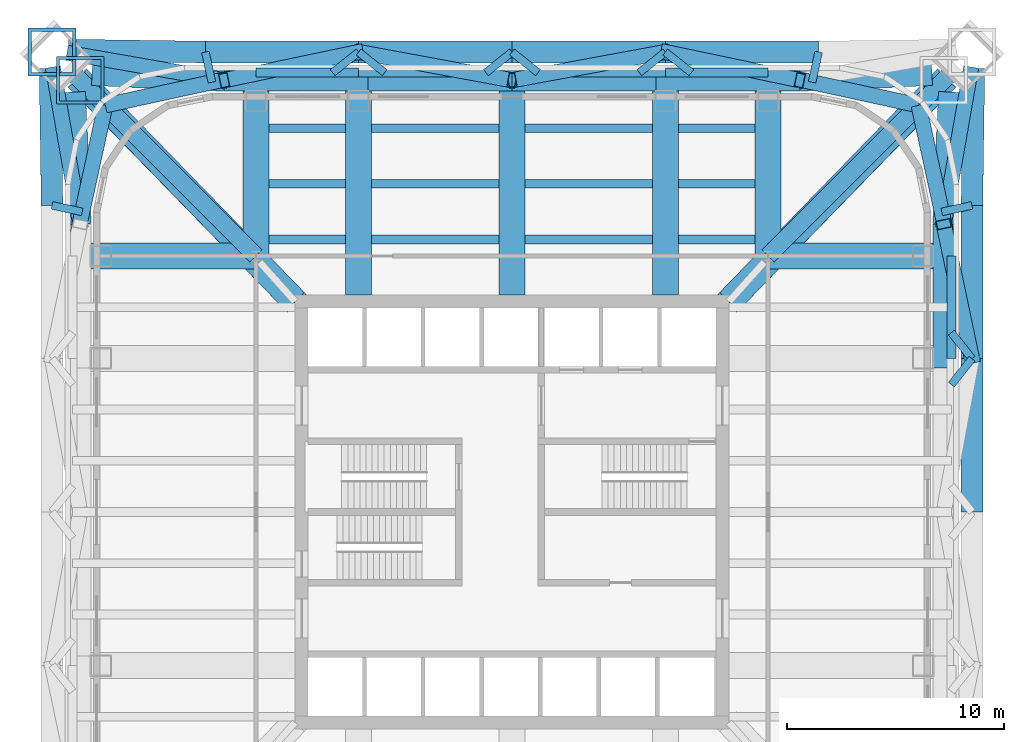
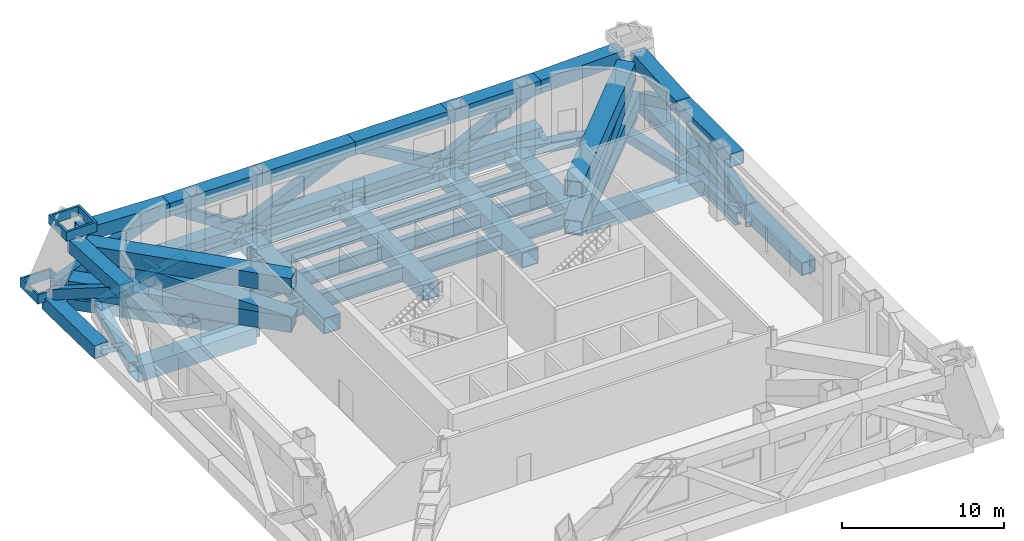
# One storey, part 3 of 9: 63 beams, 12 members.
"""IFC4 building model written with IfcOpenShell, lengths in metres."""

from ifc_helpers import new_model, si_unit, direction, frame, origin, origin_2d, place, context, subcontext, project, spatial, hollow_rectangle, i_section, extrude, material, material_profile, profile_set, type_object, element, save


model = new_model("IFC4")

# Units and contexts
model_context = context("Model", 3, precision=1e-05, world=origin(), true_north=direction((0.0, 1.0)))
body_context = subcontext(model_context, "Body", "Model", "MODEL_VIEW")
ifc_project = project(units=[si_unit("LENGTHUNIT", "METRE"), si_unit("AREAUNIT", "SQUARE_METRE"), si_unit("VOLUMEUNIT", "CUBIC_METRE"), si_unit("PLANEANGLEUNIT", "RADIAN"), si_unit("MASSUNIT", "GRAM", prefix="KILO")], contexts=[model_context])

# Site, building, storey
site_placement = place(None, origin())
site = spatial("IfcSite", under=ifc_project, at=site_placement, CompositionType="ELEMENT")
building_placement = place(site_placement, origin())
building = spatial("IfcBuilding", under=site, at=building_placement, Name="Turquesa Mirador Hotel Tower", CompositionType="ELEMENT")
storey_placement = place(building_placement, frame((0.0, 0.0, 156.39990234375)))
storey = spatial("IfcBuildingStorey", under=building, at=storey_placement, Name="L42", CompositionType="ELEMENT", Elevation=156.39990234375)

# Beams
ifc_material_1 = material(Name="Steel ASTM A572 Grade 50", Category="steel")
ifc_material_profile_1 = material_profile(ifc_material_1, hollow_rectangle(XDim=1.199951171875, YDim=1.199951171875, WallThickness=0.06005859375, at=origin_2d()), Name="BOX1200X1200X60")
ifc_profile_set_1 = profile_set([ifc_material_profile_1], Name="Steel ASTM A572 Grade 50")
beam_type_1 = type_object("IfcBeamType", Name="BEAM BOX1200X1200X60", PredefinedType="BEAM", material=ifc_profile_set_1)
for number, where, z_axis, x_axis, name in (
    (1, (47.919921875, 65.25, -0.849853515625), (0.0, -1.0, 0.0), (1.0, 0.0, 0.0), "GD-L42-N--7.08"),
    (2, (62.080078125, 65.25, -0.849853515625), (0.0, -1.0, 0.0), (1.0, 0.0, 0.0), "GD-L42-N-+7.08"),
    (3, (55.0, 65.25, -0.849853515625), (0.0, -1.0, 0.0), (1.0, 0.0, 0.0), "GD-L42-N-+0.00"),
):
    element("IfcBeam", number, at=place(storey_placement, frame(where, z_axis=z_axis, x_axis=x_axis)), inside=storey, type_object=beam_type_1, Name=name, PredefinedType="BEAM", context=body_context, shape_type="SweptSolid", body=[
        extrude(hollow_rectangle(XDim=1.199951171875, YDim=1.199951171875, WallThickness=0.06005859375, at=origin_2d()), origin(), (0.0, 0.0, 1.0), 10.25),
    ])
for number, where, z_axis, x_axis, name in (
    (4, (43.199951171875, 65.25, -0.849853515625), (0.0, -1.0, 0.0), (1.0, 0.0, 0.0), "GK-L42-N--11.80"),
    (5, (66.800048828125, 65.25, -0.849853515625), (0.0, -1.0, 0.0), (1.0, 0.0, 0.0), "GK-L42-N-+11.80"),
    (6, (75.25, 56.800048828125, -0.849853515625), (-1.0, 0.0, 0.0), (0.0, -1.0, 0.0), "GK-L42-E-+11.80"),
    (7, (34.75, 56.800048828125, -0.849853515625), (1.0, 0.0, 0.0), (0.0, 1.0, 0.0), "GK-L42-W-+11.80"),
):
    element("IfcBeam", number, at=place(storey_placement, frame(where, z_axis=z_axis, x_axis=x_axis)), inside=storey, type_object=beam_type_1, Name=name, PredefinedType="BEAM", context=body_context, shape_type="SweptSolid", body=[
        extrude(hollow_rectangle(XDim=1.199951171875, YDim=1.199951171875, WallThickness=0.06005859375, at=origin_2d()), origin(), (0.0, 0.0, 1.0), 8.449951171875),
    ])
ifc_material_2 = material(Name="Steel ASTM A572 Grade 50", Category="steel")
ifc_material_profile_2 = material_profile(ifc_material_2, hollow_rectangle(XDim=0.699951171875, YDim=0.699951171875, WallThickness=0.044921875, at=origin_2d()), Name="BOX700X700X45")
ifc_profile_set_2 = profile_set([ifc_material_profile_2], Name="Steel ASTM A572 Grade 50")
beam_type_2 = type_object("IfcBeamType", Name="BEAM BOX700X700X45", PredefinedType="BEAM", material=ifc_profile_set_2)
for number, where, z_axis, x_axis, name in (
    (8, (75.25, 56.800048828125, -0.599853515625), (-0.212328336885, 0.977198381781, 0.0), (-0.977198381781, -0.212328336885, 0.0), "KE-L42-1-0"),
    (9, (73.74169921875, 63.74169921875, -0.599853515625), (-0.977198381781, 0.212328336885, 0.0), (-0.212328336885, -0.977198381781, 0.0), "KE-L42-1-1"),
    (10, (34.75, 56.800048828125, -0.599853515625), (0.212328336885, 0.977198381781, 0.0), (-0.977198381781, 0.212328336885, 0.0), "KE-L42-2-0"),
    (11, (36.25830078125, 63.74169921875, -0.599853515625), (0.977198381781, 0.212328336885, 0.0), (-0.212328336885, 0.977198381781, 0.0), "KE-L42-2-1"),
):
    element("IfcBeam", number, at=place(storey_placement, frame(where, z_axis=z_axis, x_axis=x_axis)), inside=storey, type_object=beam_type_2, Name=name, PredefinedType="BEAM", context=body_context, shape_type="SweptSolid", body=[
        extrude(hollow_rectangle(XDim=0.699951171875, YDim=0.699951171875, WallThickness=0.044921875, at=origin_2d()), origin(), (0.0, 0.0, 1.0), 7.103515625),
    ])
ifc_material_3 = material(Name="Steel ASTM A572 Grade 50", Category="steel")
ifc_material_profile_3 = material_profile(ifc_material_3, hollow_rectangle(XDim=0.800048828125, YDim=0.800048828125, WallThickness=0.050048828125, at=origin_2d()), Name="BOX800X800X50")
ifc_profile_set_3 = profile_set([ifc_material_profile_3], Name="Steel ASTM A572 Grade 50")
beam_type_3 = type_object("IfcBeamType", Name="BEAM BOX800X800X50", PredefinedType="BEAM", material=ifc_profile_set_3)
for number, where, z_axis, x_axis, name in (
    (12, (66.800048828125, 56.800048828125, -0.64990234375), (0.707106781187, 0.707106781187, 0.0), (-0.707106781187, 0.707106781187, 0.0), "KD-L42-1"),
    (13, (43.199951171875, 56.800048828125, -0.64990234375), (-0.707106781187, 0.707106781187, 0.0), (-0.707106781187, -0.707106781187, 0.0), "KD-L42-2"),
):
    element("IfcBeam", number, at=place(storey_placement, frame(where, z_axis=z_axis, x_axis=x_axis)), inside=storey, type_object=beam_type_3, Name=name, PredefinedType="BEAM", context=body_context, shape_type="SweptSolid", body=[
        extrude(hollow_rectangle(XDim=0.800048828125, YDim=0.800048828125, WallThickness=0.050048828125, at=origin_2d()), origin(), (0.0, 0.0, 1.0), 11.80859375),
    ])
ifc_material_4 = material(Name="Steel ASTM A992 Grade 50", Category="steel")
ifc_material_profile_4 = material_profile(ifc_material_4, i_section(OverallWidth=0.419189453125, OverallDepth=0.927001953125, WebThickness=0.019287109375, FlangeThickness=0.031982421875, at=origin_2d()), Name="W36X231")
ifc_profile_set_4 = profile_set([ifc_material_profile_4], Name="Steel ASTM A992 Grade 50")
beam_type_4 = type_object("IfcBeamType", Name="BEAM W36X231", PredefinedType="BEAM", material=ifc_profile_set_4)
for number, where, z_axis, x_axis, name in (
    (14, (43.199951171875, 65.25, -0.71337890625), (1.0, 0.0, 0.0), (0.0, 1.0, 0.0), "EB-L42-N-L"),
    (15, (62.080078125, 65.25, -0.71337890625), (1.0, 0.0, 0.0), (0.0, 1.0, 0.0), "EB-L42-N-R"),
    (16, (75.25, 52.080078125, -0.71337890625), (0.0, 1.0, 0.0), (-1.0, 0.0, 0.0), "EB-L42-E-R"),
):
    element("IfcBeam", number, at=place(storey_placement, frame(where, z_axis=z_axis, x_axis=x_axis)), inside=storey, type_object=beam_type_4, Name=name, PredefinedType="BEAM", context=body_context, shape_type="SweptSolid", body=[
        extrude(i_section(OverallWidth=0.419189453125, OverallDepth=0.927001953125, WebThickness=0.019287109375, FlangeThickness=0.031982421875, at=origin_2d()), origin(), (0.0, 0.0, 1.0), 4.719970703125),
    ])
ifc_material_5 = material(Name="Steel ASTM A992 Grade 50", Category="steel")
ifc_material_profile_5 = material_profile(ifc_material_5, i_section(OverallWidth=0.40380859375, OverallDepth=1.11767578125, WebThickness=0.026123046875, FlangeThickness=0.044921875, at=origin_2d()), Name="W44X335")
ifc_profile_set_5 = profile_set([ifc_material_profile_5], Name="Steel ASTM A992 Grade 50")
beam_type_5 = type_object("IfcBeamType", Name="BEAM W44X335", PredefinedType="BEAM", material=ifc_profile_set_5)
beam_1_placement = place(storey_placement, frame((43.800048828125, 57.56201171875, -0.80859375), z_axis=(1.0, 0.0, 0.0), x_axis=(0.0, 1.0, 0.0)))
element("IfcBeam", 17, at=beam_1_placement, inside=storey, type_object=beam_type_5, Name="IB-L42-N-1-0", PredefinedType="BEAM", context=body_context, shape_type="SweptSolid", body=[
    extrude(i_section(OverallWidth=0.40380859375, OverallDepth=1.11767578125, WebThickness=0.026123046875, FlangeThickness=0.044921875, at=origin_2d()), origin(), (0.0, 0.0, 1.0), 3.52001953125),
])
for number, where, z_axis, x_axis, name in (
    (18, (48.52001953125, 57.56201171875, -0.80859375), (1.0, 0.0, 0.0), (0.0, 1.0, 0.0), "IB-L42-N-1-1"),
    (19, (55.60009765625, 57.56201171875, -0.80859375), (1.0, 0.0, 0.0), (0.0, 1.0, 0.0), "IB-L42-N-1-2"),
):
    element("IfcBeam", number, at=place(storey_placement, frame(where, z_axis=z_axis, x_axis=x_axis)), inside=storey, type_object=beam_type_5, Name=name, PredefinedType="BEAM", context=body_context, shape_type="SweptSolid", body=[
        extrude(i_section(OverallWidth=0.40380859375, OverallDepth=1.11767578125, WebThickness=0.026123046875, FlangeThickness=0.044921875, at=origin_2d()), origin(), (0.0, 0.0, 1.0), 5.8798828125),
    ])
for number, where, z_axis, x_axis, name in (
    (20, (62.679931640625, 57.56201171875, -0.80859375), (1.0, 0.0, 0.0), (0.0, 1.0, 0.0), "IB-L42-N-1-3"),
    (21, (43.800048828125, 60.125, -0.80859375), (1.0, 0.0, 0.0), (0.0, 1.0, 0.0), "IB-L42-N-2-0"),
):
    element("IfcBeam", number, at=place(storey_placement, frame(where, z_axis=z_axis, x_axis=x_axis)), inside=storey, type_object=beam_type_5, Name=name, PredefinedType="BEAM", context=body_context, shape_type="SweptSolid", body=[
        extrude(i_section(OverallWidth=0.40380859375, OverallDepth=1.11767578125, WebThickness=0.026123046875, FlangeThickness=0.044921875, at=origin_2d()), origin(), (0.0, 0.0, 1.0), 3.52001953125),
    ])
for number, where, z_axis, x_axis, name in (
    (22, (48.52001953125, 60.125, -0.80859375), (1.0, 0.0, 0.0), (0.0, 1.0, 0.0), "IB-L42-N-2-1"),
    (23, (55.60009765625, 60.125, -0.80859375), (1.0, 0.0, 0.0), (0.0, 1.0, 0.0), "IB-L42-N-2-2"),
):
    element("IfcBeam", number, at=place(storey_placement, frame(where, z_axis=z_axis, x_axis=x_axis)), inside=storey, type_object=beam_type_5, Name=name, PredefinedType="BEAM", context=body_context, shape_type="SweptSolid", body=[
        extrude(i_section(OverallWidth=0.40380859375, OverallDepth=1.11767578125, WebThickness=0.026123046875, FlangeThickness=0.044921875, at=origin_2d()), origin(), (0.0, 0.0, 1.0), 5.8798828125),
    ])
for number, where, z_axis, x_axis, name in (
    (24, (62.679931640625, 60.125, -0.80859375), (1.0, 0.0, 0.0), (0.0, 1.0, 0.0), "IB-L42-N-2-3"),
    (25, (43.800048828125, 62.68798828125, -0.80859375), (1.0, 0.0, 0.0), (0.0, 1.0, 0.0), "IB-L42-N-3-0"),
):
    element("IfcBeam", number, at=place(storey_placement, frame(where, z_axis=z_axis, x_axis=x_axis)), inside=storey, type_object=beam_type_5, Name=name, PredefinedType="BEAM", context=body_context, shape_type="SweptSolid", body=[
        extrude(i_section(OverallWidth=0.40380859375, OverallDepth=1.11767578125, WebThickness=0.026123046875, FlangeThickness=0.044921875, at=origin_2d()), origin(), (0.0, 0.0, 1.0), 3.52001953125),
    ])
for number, where, z_axis, x_axis, name in (
    (26, (48.52001953125, 62.68798828125, -0.80859375), (1.0, 0.0, 0.0), (0.0, 1.0, 0.0), "IB-L42-N-3-1"),
    (27, (55.60009765625, 62.68798828125, -0.80859375), (1.0, 0.0, 0.0), (0.0, 1.0, 0.0), "IB-L42-N-3-2"),
):
    element("IfcBeam", number, at=place(storey_placement, frame(where, z_axis=z_axis, x_axis=x_axis)), inside=storey, type_object=beam_type_5, Name=name, PredefinedType="BEAM", context=body_context, shape_type="SweptSolid", body=[
        extrude(i_section(OverallWidth=0.40380859375, OverallDepth=1.11767578125, WebThickness=0.026123046875, FlangeThickness=0.044921875, at=origin_2d()), origin(), (0.0, 0.0, 1.0), 5.8798828125),
    ])
beam_2_placement = place(storey_placement, frame((62.679931640625, 62.68798828125, -0.80859375), z_axis=(1.0, 0.0, 0.0), x_axis=(0.0, 1.0, 0.0)))
element("IfcBeam", 28, at=beam_2_placement, inside=storey, type_object=beam_type_5, Name="IB-L42-N-3-3", PredefinedType="BEAM", context=body_context, shape_type="SweptSolid", body=[
    extrude(i_section(OverallWidth=0.40380859375, OverallDepth=1.11767578125, WebThickness=0.026123046875, FlangeThickness=0.044921875, at=origin_2d()), origin(), (0.0, 0.0, 1.0), 3.52001953125),
])
beam_3_placement = place(storey_placement, frame((47.919921875, 65.25, -0.80859375), z_axis=(1.0, 0.0, 0.0), x_axis=(0.0, 1.0, 0.0)))
element("IfcBeam", 29, at=beam_3_placement, inside=storey, type_object=beam_type_5, Name="EB-L42-N-C", PredefinedType="BEAM", context=body_context, shape_type="SweptSolid", body=[
    extrude(i_section(OverallWidth=0.40380859375, OverallDepth=1.11767578125, WebThickness=0.026123046875, FlangeThickness=0.044921875, at=origin_2d()), origin(), (0.0, 0.0, 1.0), 14.16015625),
])
ifc_material_6 = material(Name="Steel ASTM A572 Grade 50", Category="steel")
ifc_material_profile_6 = material_profile(ifc_material_6, hollow_rectangle(XDim=1.0, YDim=1.0, WallThickness=0.06005859375, at=origin_2d()), Name="BOX1000X1000X60")
ifc_profile_set_6 = profile_set([ifc_material_profile_6], Name="Steel ASTM A572 Grade 50")
beam_type_6 = type_object("IfcBeamType", Name="BELT TRUSS CHORD BOX1000X1000X60", PredefinedType="BEAM", material=ifc_profile_set_6)
beam_4_placement = place(storey_placement, frame((34.557373046875, 66.29052734375, -0.427734375), z_axis=(0.999896969728, -0.014354439336, 0.0), x_axis=(0.014354439336, 0.999896969728, 0.0)))
element("IfcBeam", 30, at=beam_4_placement, inside=storey, type_object=beam_type_6, Name="Belt truss bottom chord N", PredefinedType="BEAM", context=body_context, shape_type="SweptSolid", body=[
    extrude(hollow_rectangle(XDim=1.0, YDim=1.0, WallThickness=0.06005859375, at=origin_2d()), origin(), (0.0, 0.0, 1.0), 6.31005859375),
])
beam_5_placement = place(storey_placement, frame((35.641845703125, 65.154296875, 4.2001953125), z_axis=(0.999129112797, -0.041725483369, 0.0), x_axis=(0.041725483369, 0.999129112797, 0.0)))
element("IfcBeam", 31, at=beam_5_placement, inside=storey, type_object=beam_type_6, Name="Belt truss top chord N", PredefinedType="BEAM", context=body_context, shape_type="SweptSolid", body=[
    extrude(hollow_rectangle(XDim=1.0, YDim=1.0, WallThickness=0.06005859375, at=origin_2d()), origin(), (0.0, 0.0, 1.0), 6.096923828125),
])
beam_6_placement = place(storey_placement, frame((40.86669921875, 66.199951171875, -0.427734375), z_axis=(1.0, 0.0, 0.0), x_axis=(0.0, 1.0, 0.0)))
element("IfcBeam", 32, at=beam_6_placement, inside=storey, type_object=beam_type_6, Name="Belt truss bottom chord N", PredefinedType="BEAM", context=body_context, shape_type="SweptSolid", body=[
    extrude(hollow_rectangle(XDim=1.0, YDim=1.0, WallThickness=0.06005859375, at=origin_2d()), origin(), (0.0, 0.0, 1.0), 7.066650390625),
])
beam_7_placement = place(storey_placement, frame((41.7333984375, 64.89990234375, 4.2001953125), z_axis=(1.0, 0.0, 0.0), x_axis=(0.0, 1.0, 0.0)))
element("IfcBeam", 33, at=beam_7_placement, inside=storey, type_object=beam_type_6, Name="Belt truss top chord N", PredefinedType="BEAM", context=body_context, shape_type="SweptSolid", body=[
    extrude(hollow_rectangle(XDim=1.0, YDim=1.0, WallThickness=0.06005859375, at=origin_2d()), origin(), (0.0, 0.0, 1.0), 6.63330078125),
])
beam_8_placement = place(storey_placement, frame((47.933349609375, 66.199951171875, -0.427734375), z_axis=(1.0, 0.0, 0.0), x_axis=(0.0, 1.0, 0.0)))
element("IfcBeam", 34, at=beam_8_placement, inside=storey, type_object=beam_type_6, Name="Belt truss bottom chord N", PredefinedType="BEAM", context=body_context, shape_type="SweptSolid", body=[
    extrude(hollow_rectangle(XDim=1.0, YDim=1.0, WallThickness=0.06005859375, at=origin_2d()), origin(), (0.0, 0.0, 1.0), 7.066650390625),
])
beam_9_placement = place(storey_placement, frame((48.36669921875, 64.89990234375, 4.2001953125), z_axis=(1.0, 0.0, 0.0), x_axis=(0.0, 1.0, 0.0)))
element("IfcBeam", 35, at=beam_9_placement, inside=storey, type_object=beam_type_6, Name="Belt truss top chord N", PredefinedType="BEAM", context=body_context, shape_type="SweptSolid", body=[
    extrude(hollow_rectangle(XDim=1.0, YDim=1.0, WallThickness=0.06005859375, at=origin_2d()), origin(), (0.0, 0.0, 1.0), 6.63330078125),
])
beam_10_placement = place(storey_placement, frame((55.0, 66.199951171875, -0.427734375), z_axis=(1.0, 0.0, 0.0), x_axis=(0.0, 1.0, 0.0)))
element("IfcBeam", 36, at=beam_10_placement, inside=storey, type_object=beam_type_6, Name="Belt truss bottom chord N", PredefinedType="BEAM", context=body_context, shape_type="SweptSolid", body=[
    extrude(hollow_rectangle(XDim=1.0, YDim=1.0, WallThickness=0.06005859375, at=origin_2d()), origin(), (0.0, 0.0, 1.0), 7.066650390625),
])
beam_11_placement = place(storey_placement, frame((55.0, 64.89990234375, 4.2001953125), z_axis=(1.0, 0.0, 0.0), x_axis=(0.0, 1.0, 0.0)))
element("IfcBeam", 37, at=beam_11_placement, inside=storey, type_object=beam_type_6, Name="Belt truss top chord N", PredefinedType="BEAM", context=body_context, shape_type="SweptSolid", body=[
    extrude(hollow_rectangle(XDim=1.0, YDim=1.0, WallThickness=0.06005859375, at=origin_2d()), origin(), (0.0, 0.0, 1.0), 6.63330078125),
])
beam_12_placement = place(storey_placement, frame((62.066650390625, 66.199951171875, -0.427734375), z_axis=(1.0, 0.0, 0.0), x_axis=(0.0, 1.0, 0.0)))
element("IfcBeam", 38, at=beam_12_placement, inside=storey, type_object=beam_type_6, Name="Belt truss bottom chord N", PredefinedType="BEAM", context=body_context, shape_type="SweptSolid", body=[
    extrude(hollow_rectangle(XDim=1.0, YDim=1.0, WallThickness=0.06005859375, at=origin_2d()), origin(), (0.0, 0.0, 1.0), 7.066650390625),
])
beam_13_placement = place(storey_placement, frame((61.63330078125, 64.89990234375, 4.2001953125), z_axis=(1.0, 0.0, 0.0), x_axis=(0.0, 1.0, 0.0)))
element("IfcBeam", 39, at=beam_13_placement, inside=storey, type_object=beam_type_6, Name="Belt truss top chord N", PredefinedType="BEAM", context=body_context, shape_type="SweptSolid", body=[
    extrude(hollow_rectangle(XDim=1.0, YDim=1.0, WallThickness=0.06005859375, at=origin_2d()), origin(), (0.0, 0.0, 1.0), 6.63330078125),
])
beam_14_placement = place(storey_placement, frame((68.2666015625, 64.89990234375, 4.2001953125), z_axis=(0.999129112797, 0.041725483369, 0.0), x_axis=(-0.041725483369, 0.999129112797, 0.0)))
element("IfcBeam", 40, at=beam_14_placement, inside=storey, type_object=beam_type_6, Name="Belt truss top chord N", PredefinedType="BEAM", context=body_context, shape_type="SweptSolid", body=[
    extrude(hollow_rectangle(XDim=1.0, YDim=1.0, WallThickness=0.06005859375, at=origin_2d()), origin(), (0.0, 0.0, 1.0), 6.096923828125),
])
for number, where, z_axis, x_axis, name in (
    (41, (76.199951171875, 45.0, -0.427734375), (0.0, 1.0, 0.0), (-1.0, 0.0, 0.0), "Belt truss bottom chord E"),
    (42, (76.199951171875, 52.066650390625, -0.427734375), (0.0, 1.0, 0.0), (-1.0, 0.0, 0.0), "Belt truss bottom chord E"),
):
    element("IfcBeam", number, at=place(storey_placement, frame(where, z_axis=z_axis, x_axis=x_axis)), inside=storey, type_object=beam_type_6, Name=name, PredefinedType="BEAM", context=body_context, shape_type="SweptSolid", body=[
        extrude(hollow_rectangle(XDim=1.0, YDim=1.0, WallThickness=0.06005859375, at=origin_2d()), origin(), (0.0, 0.0, 1.0), 7.066650390625),
    ])
beam_15_placement = place(storey_placement, frame((74.89990234375, 51.63330078125, 4.2001953125), z_axis=(0.0, 1.0, 0.0), x_axis=(-1.0, 0.0, 0.0)))
element("IfcBeam", 43, at=beam_15_placement, inside=storey, type_object=beam_type_6, Name="Belt truss top chord E", PredefinedType="BEAM", context=body_context, shape_type="SweptSolid", body=[
    extrude(hollow_rectangle(XDim=1.0, YDim=1.0, WallThickness=0.06005859375, at=origin_2d()), origin(), (0.0, 0.0, 1.0), 6.63330078125),
])
beam_16_placement = place(storey_placement, frame((76.199951171875, 59.13330078125, -0.427734375), z_axis=(0.014354439336, 0.999896969728, 0.0), x_axis=(-0.999896969728, 0.014354439336, 0.0)))
element("IfcBeam", 44, at=beam_16_placement, inside=storey, type_object=beam_type_6, Name="Belt truss bottom chord E", PredefinedType="BEAM", context=body_context, shape_type="SweptSolid", body=[
    extrude(hollow_rectangle(XDim=1.0, YDim=1.0, WallThickness=0.06005859375, at=origin_2d()), origin(), (0.0, 0.0, 1.0), 6.31005859375),
])
beam_17_placement = place(storey_placement, frame((74.89990234375, 58.2666015625, 4.2001953125), z_axis=(0.041725483369, 0.999129112797, 0.0), x_axis=(-0.999129112797, 0.041725483369, 0.0)))
element("IfcBeam", 45, at=beam_17_placement, inside=storey, type_object=beam_type_6, Name="Belt truss top chord E", PredefinedType="BEAM", context=body_context, shape_type="SweptSolid", body=[
    extrude(hollow_rectangle(XDim=1.0, YDim=1.0, WallThickness=0.06005859375, at=origin_2d()), origin(), (0.0, 0.0, 1.0), 6.096923828125),
])
beam_18_placement = place(storey_placement, frame((33.800048828125, 59.13330078125, -0.427734375), z_axis=(-0.014354439336, 0.999896969728, 0.0), x_axis=(-0.999896969728, -0.014354439336, 0.0)))
element("IfcBeam", 46, at=beam_18_placement, inside=storey, type_object=beam_type_6, Name="Belt truss bottom chord W", PredefinedType="BEAM", context=body_context, shape_type="SweptSolid", body=[
    extrude(hollow_rectangle(XDim=1.0, YDim=1.0, WallThickness=0.06005859375, at=origin_2d()), origin(), (0.0, 0.0, 1.0), 6.31005859375),
])
beam_19_placement = place(storey_placement, frame((35.10009765625, 58.2666015625, 4.2001953125), z_axis=(-0.041725483369, 0.999129112797, 0.0), x_axis=(-0.999129112797, -0.041725483369, 0.0)))
element("IfcBeam", 47, at=beam_19_placement, inside=storey, type_object=beam_type_6, Name="Belt truss top chord W", PredefinedType="BEAM", context=body_context, shape_type="SweptSolid", body=[
    extrude(hollow_rectangle(XDim=1.0, YDim=1.0, WallThickness=0.06005859375, at=origin_2d()), origin(), (0.0, 0.0, 1.0), 6.096923828125),
])

# Members
ifc_material_7 = material(Name="Steel ASTM A572 Grade 50", Category="steel")
ifc_material_profile_7 = material_profile(ifc_material_7, hollow_rectangle(XDim=0.699951171875, YDim=0.699951171875, WallThickness=0.044921875, at=origin_2d()), Name="BOX700X700X45")
ifc_profile_set_7 = profile_set([ifc_material_profile_7], Name="Steel ASTM A572 Grade 50")
member_type_1 = type_object("IfcMemberType", Name="BELT TRUSS DIAGONAL BOX700X700X45", PredefinedType="BRACE", material=ifc_profile_set_7)
member_1_placement = place(storey_placement, frame((34.661376953125, 66.134521484375, 0.127685546875), z_axis=(0.856833315101, -0.149584219093, 0.493417907591), x_axis=(0.171976927021, 0.985100977856, 0.0)))
element("IfcMember", 48, at=member_1_placement, inside=storey, type_object=member_type_1, Name="Belt truss diagonal N", PredefinedType="BRACE", context=body_context, shape_type="SweptSolid", body=[
    extrude(hollow_rectangle(XDim=0.699951171875, YDim=0.699951171875, WallThickness=0.044921875, at=origin_2d()), origin(), (0.0, 0.0, 1.0), 8.253662109375),
])
member_2_placement = place(storey_placement, frame((41.7333984375, 64.89990234375, 4.2001953125), z_axis=(0.790285340861, 0.165712519791, -0.589905450733), x_axis=(-0.205223775736, 0.978715076962, 0.0)))
element("IfcMember", 49, at=member_2_placement, inside=storey, type_object=member_type_1, Name="Belt truss diagonal N", PredefinedType="BRACE", context=body_context, shape_type="SweptSolid", body=[
    extrude(hollow_rectangle(XDim=0.699951171875, YDim=0.699951171875, WallThickness=0.044921875, at=origin_2d()), origin(), (0.0, 0.0, 1.0), 7.84521484375),
])
for number, where, z_axis, x_axis, name in (
    (50, (47.933349609375, 66.199951171875, -0.427734375), (0.826831753144, -0.152111904836, 0.541489815602), (0.180933248929, 0.98349537845, 0.0), "Belt truss diagonal N"),
    (51, (55.0, 64.89990234375, 4.2001953125), (0.826831753144, 0.152111904836, -0.541489815602), (-0.180933248929, 0.98349537845, 0.0), "Belt truss diagonal N"),
):
    element("IfcMember", number, at=place(storey_placement, frame(where, z_axis=z_axis, x_axis=x_axis)), inside=storey, type_object=member_type_1, Name=name, PredefinedType="BRACE", context=body_context, shape_type="SweptSolid", body=[
        extrude(hollow_rectangle(XDim=0.699951171875, YDim=0.699951171875, WallThickness=0.044921875, at=origin_2d()), origin(), (0.0, 0.0, 1.0), 8.546630859375),
    ])
for number, where, z_axis, x_axis, name in (
    (52, (62.066650390625, 66.199951171875, -0.427734375), (0.790285340861, -0.165712519791, 0.589905450733), (0.205223775736, 0.978715076962, 0.0), "Belt truss diagonal N"),
    (53, (76.199951171875, 52.066650390625, -0.427734375), (-0.165712519791, 0.790285340861, 0.589905450733), (-0.978715076962, -0.205223775736, 0.0), "Belt truss diagonal E"),
):
    element("IfcMember", number, at=place(storey_placement, frame(where, z_axis=z_axis, x_axis=x_axis)), inside=storey, type_object=member_type_1, Name=name, PredefinedType="BRACE", context=body_context, shape_type="SweptSolid", body=[
        extrude(hollow_rectangle(XDim=0.699951171875, YDim=0.699951171875, WallThickness=0.044921875, at=origin_2d()), origin(), (0.0, 0.0, 1.0), 7.84521484375),
    ])
for number, where, z_axis, x_axis, name in (
    (54, (74.89990234375, 58.2666015625, 4.2001953125), (0.149584219093, 0.856833315101, -0.493417907591), (-0.985100977856, 0.171976927021, 0.0), "Belt truss diagonal E"),
    (55, (35.10009765625, 58.2666015625, 4.2001953125), (-0.149584219093, 0.856833315101, -0.493417907591), (-0.985100977856, -0.171976927021, 0.0), "Belt truss diagonal W"),
):
    element("IfcMember", number, at=place(storey_placement, frame(where, z_axis=z_axis, x_axis=x_axis)), inside=storey, type_object=member_type_1, Name=name, PredefinedType="BRACE", context=body_context, shape_type="SweptSolid", body=[
        extrude(hollow_rectangle(XDim=0.699951171875, YDim=0.699951171875, WallThickness=0.044921875, at=origin_2d()), origin(), (0.0, 0.0, 1.0), 8.253662109375),
    ])

# Beams
ifc_material_8 = material(Name="Steel ASTM A500 Grade C", Category="steel")
ifc_material_profile_8 = material_profile(ifc_material_8, hollow_rectangle(XDim=0.355712890625, YDim=0.355712890625, WallThickness=0.0146484375, at=origin_2d()), Name="HSS14X14X5/8")
ifc_profile_set_8 = profile_set([ifc_material_profile_8], Name="Steel ASTM A500 Grade C")
beam_type_7 = type_object("IfcBeamType", Name="BRACE STRUT HSS14X14X5/8", PredefinedType="BEAM", material=ifc_profile_set_8)
beam_20_placement = place(storey_placement, frame((40.86669921875, 66.199951171875, -0.427734375), z_axis=(0.21228014704, -0.977208851358, 0.0), x_axis=(0.977208851358, 0.21228014704, 0.0)))
element("IfcBeam", 56, at=beam_20_placement, inside=storey, type_object=beam_type_7, Name="Brace strut", PredefinedType="BEAM", context=body_context, shape_type="SweptSolid", body=[
    extrude(hollow_rectangle(XDim=0.355712890625, YDim=0.355712890625, WallThickness=0.0146484375, at=origin_2d()), origin(), (0.0, 0.0, 1.0), 1.423828125),
])
for number, where, z_axis, x_axis, name in (
    (57, (47.933349609375, 66.199951171875, -0.427734375), (-0.784049059149, -0.620698858423, 0.0), (0.620698858423, -0.784049059149, 0.0), "Brace strut"),
    (58, (47.933349609375, 66.199951171875, -0.427734375), (0.784049059149, -0.620698858423, 0.0), (0.620698858423, 0.784049059149, 0.0), "Brace strut"),
    (59, (55.0, 66.199951171875, -0.427734375), (-0.784049059149, -0.620698858423, 0.0), (0.620698858423, -0.784049059149, 0.0), "Brace strut"),
    (60, (55.0, 66.199951171875, -0.427734375), (0.784049059149, -0.620698858423, 0.0), (0.620698858423, 0.784049059149, 0.0), "Brace strut"),
    (61, (62.066650390625, 66.199951171875, -0.427734375), (-0.784049059149, -0.620698858423, 0.0), (0.620698858423, -0.784049059149, 0.0), "Brace strut"),
    (62, (62.066650390625, 66.199951171875, -0.427734375), (0.784049059149, -0.620698858423, 0.0), (0.620698858423, 0.784049059149, 0.0), "Brace strut"),
):
    element("IfcBeam", number, at=place(storey_placement, frame(where, z_axis=z_axis, x_axis=x_axis)), inside=storey, type_object=beam_type_7, Name=name, PredefinedType="BEAM", context=body_context, shape_type="SweptSolid", body=[
        extrude(hollow_rectangle(XDim=0.355712890625, YDim=0.355712890625, WallThickness=0.0146484375, at=origin_2d()), origin(), (0.0, 0.0, 1.0), 1.530517578125),
    ])
beam_21_placement = place(storey_placement, frame((69.13330078125, 66.199951171875, -0.427734375), z_axis=(-0.21228014704, -0.977208851358, 0.0), x_axis=(0.977208851358, -0.21228014704, 0.0)))
element("IfcBeam", 63, at=beam_21_placement, inside=storey, type_object=beam_type_7, Name="Brace strut", PredefinedType="BEAM", context=body_context, shape_type="SweptSolid", body=[
    extrude(hollow_rectangle(XDim=0.355712890625, YDim=0.355712890625, WallThickness=0.0146484375, at=origin_2d()), origin(), (0.0, 0.0, 1.0), 1.423828125),
])
for number, where, z_axis, x_axis, name in (
    (64, (76.199951171875, 52.066650390625, -0.427734375), (-0.620698858423, -0.784049059149, 0.0), (0.784049059149, -0.620698858423, 0.0), "Brace strut"),
    (65, (76.199951171875, 52.066650390625, -0.427734375), (-0.620698858423, 0.784049059149, 0.0), (-0.784049059149, -0.620698858423, 0.0), "Brace strut"),
):
    element("IfcBeam", number, at=place(storey_placement, frame(where, z_axis=z_axis, x_axis=x_axis)), inside=storey, type_object=beam_type_7, Name=name, PredefinedType="BEAM", context=body_context, shape_type="SweptSolid", body=[
        extrude(hollow_rectangle(XDim=0.355712890625, YDim=0.355712890625, WallThickness=0.0146484375, at=origin_2d()), origin(), (0.0, 0.0, 1.0), 1.530517578125),
    ])
for number, where, z_axis, x_axis, name in (
    (66, (76.199951171875, 59.13330078125, -0.427734375), (-0.977208851358, -0.21228014704, 0.0), (0.21228014704, -0.977208851358, 0.0), "Brace strut"),
    (67, (33.800048828125, 59.13330078125, -0.427734375), (0.977208851358, -0.21228014704, 0.0), (0.21228014704, 0.977208851358, 0.0), "Brace strut"),
):
    element("IfcBeam", number, at=place(storey_placement, frame(where, z_axis=z_axis, x_axis=x_axis)), inside=storey, type_object=beam_type_7, Name=name, PredefinedType="BEAM", context=body_context, shape_type="SweptSolid", body=[
        extrude(hollow_rectangle(XDim=0.355712890625, YDim=0.355712890625, WallThickness=0.0146484375, at=origin_2d()), origin(), (0.0, 0.0, 1.0), 1.423828125),
    ])

# Members
ifc_material_9 = material(Name="Cast steel ASTM A958 Grade SC8620 Class 80/50", Category="steel")
ifc_material_profile_9 = material_profile(ifc_material_9, hollow_rectangle(XDim=2.199951171875, YDim=2.199951171875, WallThickness=0.14990234375, at=origin_2d()), Name="NODE2200X2200X150")
ifc_profile_set_9 = profile_set([ifc_material_profile_9], Name="Cast steel ASTM A958 Grade SC8620 Class 80/50")
member_type_2 = type_object("IfcMemberType", Name="MEGA COLUMN NODE NODE2200X2200X150", PredefinedType="USERDEFINED", material=ifc_profile_set_9)
for number, where, z_axis, x_axis, name in (
    (68, (33.800048828125, 66.199951171875, -0.20166015625), (0.0, 0.0, 1.0), (1.0, 0.0, 0.0), "Mega column node M2 base"),
    (69, (35.10009765625, 64.89990234375, 4.89013671875), (0.0, 0.0, 1.0), (1.0, 0.0, 0.0), "Mega column node M2 head"),
):
    element("IfcMember", number, at=place(storey_placement, frame(where, z_axis=z_axis, x_axis=x_axis)), inside=storey, type_object=member_type_2, Name=name, ObjectType="MEGA COLUMN NODE", PredefinedType="USERDEFINED", context=body_context, shape_type="SweptSolid", body=[
        extrude(hollow_rectangle(XDim=2.199951171875, YDim=2.199951171875, WallThickness=0.14990234375, at=origin_2d()), origin(), (0.0, 0.0, 1.0), 0.711669921875),
    ])

# Beams
ifc_material_10 = material(Name="Steel ASTM A572 Grade 50", Category="steel")
ifc_material_profile_10 = material_profile(ifc_material_10, hollow_rectangle(XDim=1.199951171875, YDim=1.199951171875, WallThickness=0.080078125, at=origin_2d()), Name="BOX1200X1200X80")
ifc_profile_set_10 = profile_set([ifc_material_profile_10], Name="Steel ASTM A572 Grade 50")
beam_type_8 = type_object("IfcBeamType", Name="OUTRIGGER CHORD BOX1200X1200X80", PredefinedType="BEAM", material=ifc_profile_set_10)
beam_22_placement = place(storey_placement, frame((65.0, 54.699951171875, 0.650146484375), z_axis=(0.697568930557, 0.716517680955, 0.0), x_axis=(-0.716517680955, 0.697568930557, 0.0)))
element("IfcBeam", 70, at=beam_22_placement, inside=storey, type_object=beam_type_8, Name="Outrigger bottom chord 1", PredefinedType="BEAM", context=body_context, shape_type="SweptSolid", body=[
    extrude(hollow_rectangle(XDim=1.199951171875, YDim=1.199951171875, WallThickness=0.080078125, at=origin_2d()), origin(), (0.0, 0.0, 1.0), 14.365966796875),
])
beam_23_placement = place(storey_placement, frame((65.0, 54.699951171875, 3.550048828125), z_axis=(0.696925949227, 0.717143096805, 0.0), x_axis=(-0.717143096805, 0.696925949227, 0.0)))
element("IfcBeam", 71, at=beam_23_placement, inside=storey, type_object=beam_type_8, Name="Outrigger top chord 1", PredefinedType="BEAM", context=body_context, shape_type="SweptSolid", body=[
    extrude(hollow_rectangle(XDim=1.199951171875, YDim=1.199951171875, WallThickness=0.080078125, at=origin_2d()), origin(), (0.0, 0.0, 1.0), 13.380126953125),
])
beam_24_placement = place(storey_placement, frame((45.0, 54.699951171875, 0.650146484375), z_axis=(-0.697568930557, 0.716517680955, 0.0), x_axis=(-0.716517680955, -0.697568930557, 0.0)))
element("IfcBeam", 72, at=beam_24_placement, inside=storey, type_object=beam_type_8, Name="Outrigger bottom chord 2", PredefinedType="BEAM", context=body_context, shape_type="SweptSolid", body=[
    extrude(hollow_rectangle(XDim=1.199951171875, YDim=1.199951171875, WallThickness=0.080078125, at=origin_2d()), origin(), (0.0, 0.0, 1.0), 14.365966796875),
])
beam_25_placement = place(storey_placement, frame((45.0, 54.699951171875, 3.550048828125), z_axis=(-0.696925949227, 0.717143096805, 0.0), x_axis=(-0.717143096805, -0.696925949227, 0.0)))
element("IfcBeam", 73, at=beam_25_placement, inside=storey, type_object=beam_type_8, Name="Outrigger top chord 2", PredefinedType="BEAM", context=body_context, shape_type="SweptSolid", body=[
    extrude(hollow_rectangle(XDim=1.199951171875, YDim=1.199951171875, WallThickness=0.080078125, at=origin_2d()), origin(), (0.0, 0.0, 1.0), 13.380126953125),
])

# Members
ifc_material_11 = material(Name="Steel ASTM A572 Grade 50", Category="steel")
ifc_material_profile_11 = material_profile(ifc_material_11, hollow_rectangle(XDim=1.199951171875, YDim=1.199951171875, WallThickness=0.080078125, at=origin_2d()), Name="BOX1200X1200X80")
ifc_profile_set_11 = profile_set([ifc_material_profile_11], Name="Steel ASTM A572 Grade 50")
member_type_3 = type_object("IfcMemberType", Name="OUTRIGGER DIAGONAL BOX1200X1200X80", PredefinedType="BRACE", material=ifc_profile_set_11)
for number, where, z_axis, x_axis, name in (
    (74, (65.0, 54.699951171875, 0.650146484375), (0.683994928297, 0.703836959468, 0.191740638756), (-0.717143096805, 0.696925949227, 0.0), "Outrigger diagonal 1"),
    (75, (45.0, 54.699951171875, 0.650146484375), (-0.683994928297, 0.703836959468, 0.191740638756), (-0.717143096805, -0.696925949227, 0.0), "Outrigger diagonal 2"),
):
    element("IfcMember", number, at=place(storey_placement, frame(where, z_axis=z_axis, x_axis=x_axis)), inside=storey, type_object=member_type_3, Name=name, PredefinedType="BRACE", context=body_context, shape_type="SweptSolid", body=[
        extrude(hollow_rectangle(XDim=1.199951171875, YDim=1.199951171875, WallThickness=0.080078125, at=origin_2d()), origin(), (0.0, 0.0, 1.0), 13.633056640625),
    ])

save(model, "model.ifc")
